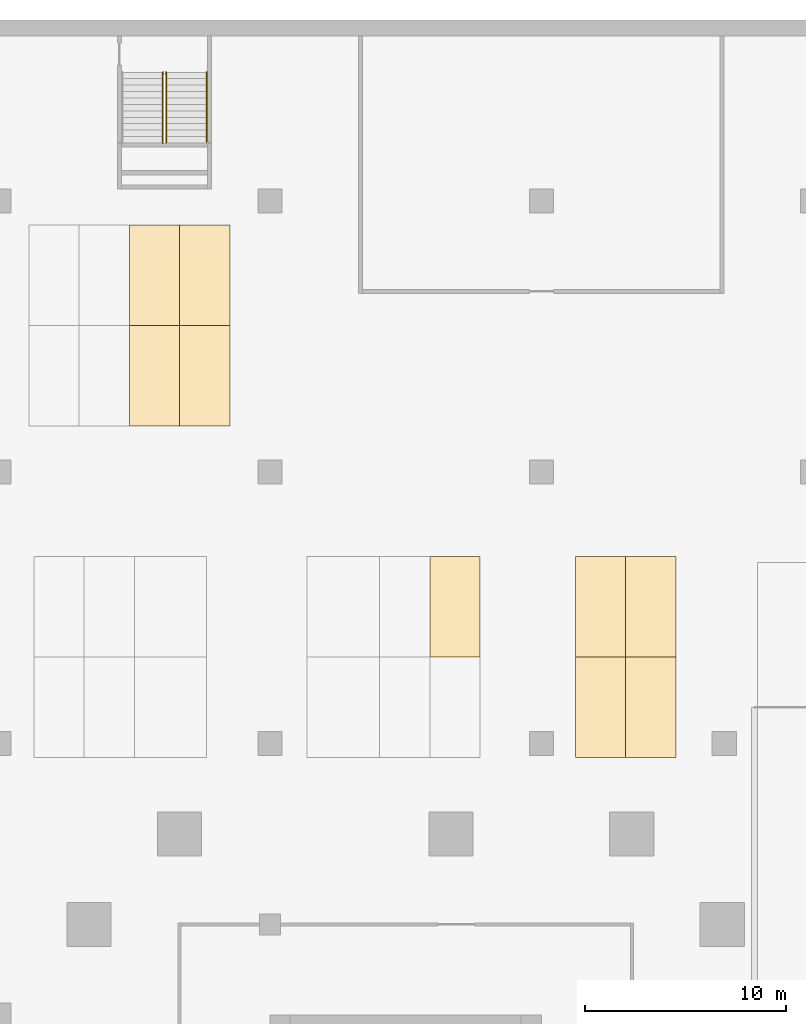
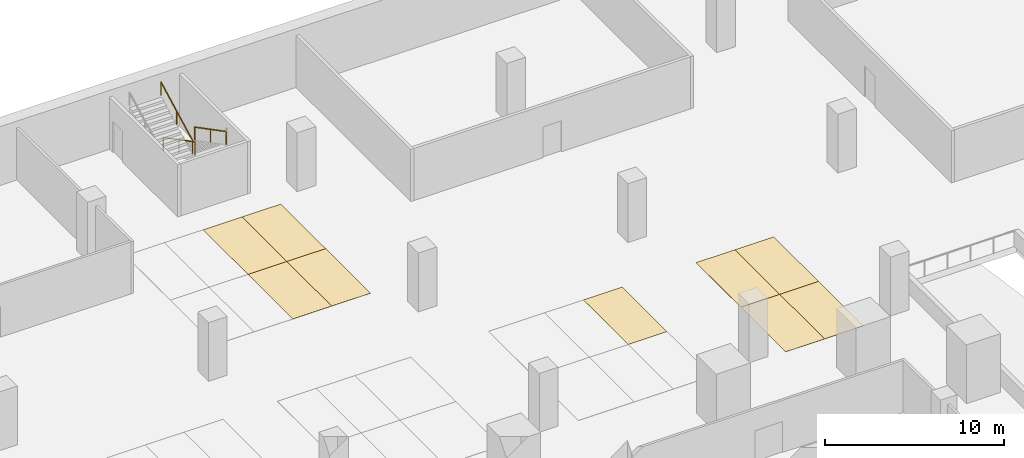
# One storey, part 28 of 31: 9 coverings, 3 railings.
"""IFC4 building model written with IfcOpenShell, lengths in metres."""

import ifcopenshell
import ifcopenshell.guid

model = None  # the IFC model being written
_history = None  # IfcOwnerHistory: only IFC2X3 demands one
_inside = {}  # id of a spatial element -> (the spatial element, [elements in it])
_under = {}  # id of a project, library or spatial element -> (it, [spatial elements below it])
_declared = {}  # id of a project -> (the project, [libraries it declares])
_typed = {}  # id of a type object -> (the type object, [elements of that type])
_made_of = {}  # id of a material, layer set ... -> (it, [elements and type objects made of it])


def new_model(schema):
    """Start an empty IFC model of exactly this schema.

    Asked for "IFC4X3", IfcOpenShell would pick the latest addendum, in which some entities
    have other attributes; the version numbers below select the first issue.
    IFC2X3 requires an IfcOwnerHistory on every rooted entity: one is made here for all.
    """
    global model, _history
    if schema == "IFC4X3":
        model = ifcopenshell.file(schema_version=(4, 3, 0, 0))
    else:
        model = ifcopenshell.file(schema=schema)
    _inside.clear()
    _under.clear()
    _declared.clear()
    _typed.clear()
    _made_of.clear()
    _history = None
    if model.schema == "IFC2X3":
        org = make("IfcOrganization", Name="unknown")
        user = make(
            "IfcPersonAndOrganization",
            ThePerson=make("IfcPerson", FamilyName="unknown"),
            TheOrganization=org,
        )
        app = make(
            "IfcApplication",
            ApplicationDeveloper=org,
            Version="unknown",
            ApplicationFullName="unknown",
            ApplicationIdentifier="unknown",
        )
        _history = make(
            "IfcOwnerHistory",
            OwningUser=user,
            OwningApplication=app,
            ChangeAction="ADDED",
            CreationDate=0,
        )
    return model


def make(cls, **values):
    """One entity of the class cls with the attributes given. An attribute that is None is left unset."""
    return model.create_entity(
        cls, **{name: value for name, value in values.items() if value is not None}
    )


def rooted(cls, **values):
    """An entity with a GlobalId (a new one), such as an element, a storey or a relation."""
    return make(cls, GlobalId=ifcopenshell.guid.new(), OwnerHistory=_history, **values)


def si_unit(unit_type, name, prefix=None):
    """IfcSIUnit, for example si_unit("LENGTHUNIT", "METRE", prefix="MILLI")."""
    return make("IfcSIUnit", UnitType=unit_type, Prefix=prefix, Name=name)


def assignment(units):
    """IfcUnitAssignment: the units of a project."""
    return None if units is None else make("IfcUnitAssignment", Units=units)


def point(xyz):
    """IfcCartesianPoint."""
    return None if xyz is None else make("IfcCartesianPoint", Coordinates=xyz)


def direction(xyz):
    """IfcDirection."""
    return None if xyz is None else make("IfcDirection", DirectionRatios=xyz)


def frame(location, z_axis=None, x_axis=None):
    """IfcAxis2Placement3D, a coordinate frame: its origin and axes. An axis left out is left unset."""
    return make(
        "IfcAxis2Placement3D",
        Location=point(location),
        Axis=direction(z_axis),
        RefDirection=direction(x_axis),
    )


def frame_2d(location, x_axis=None):
    """IfcAxis2Placement2D, a coordinate frame in the plane: its origin and x axis."""
    return make(
        "IfcAxis2Placement2D", Location=point(location), RefDirection=direction(x_axis)
    )


def origin():
    """The frame at (0, 0, 0) with its axes left unset."""
    return frame((0.0, 0.0, 0.0))


def origin_2d():
    """The frame at (0, 0) in the plane with its x axis left unset."""
    return frame_2d((0.0, 0.0))


def place(relative_to, where):
    """IfcLocalPlacement: puts the frame where relative to a parent placement (None: the world)."""
    return make(
        "IfcLocalPlacement", PlacementRelTo=relative_to, RelativePlacement=where
    )


def context(
    kind, dimensions, precision=None, world=None, true_north=None, identifier=None
):
    """IfcGeometricRepresentationContext, for example the 3D "Model" context."""
    return make(
        "IfcGeometricRepresentationContext",
        ContextIdentifier=identifier,
        ContextType=kind,
        CoordinateSpaceDimension=dimensions,
        Precision=precision,
        WorldCoordinateSystem=world,
        TrueNorth=true_north,
    )


def subcontext(parent, identifier, kind, view, scale=None):
    """IfcGeometricRepresentationSubContext, for example "Body" below "Model"."""
    return make(
        "IfcGeometricRepresentationSubContext",
        ContextIdentifier=identifier,
        ContextType=kind,
        ParentContext=parent,
        TargetScale=scale,
        TargetView=view,
    )


def project(units=None, contexts=None):
    """IfcProject with its units and contexts."""
    return rooted(
        "IfcProject",
        Name="project",
        RepresentationContexts=contexts,
        UnitsInContext=assignment(units),
    )


def spatial(cls, under=None, at=None, **own):
    """A site, building, storey or space (cls), placed at a placement, below another one or the project."""
    s = rooted(cls, ObjectPlacement=at, **own)
    if under is not None:
        _under.setdefault(under.id(), (under, []))[1].append(s)
    return s


def polyline(points):
    """IfcPolyline through the points."""
    return make("IfcPolyline", Points=[point(p) for p in points])


def profile(cls, at=None, kind="AREA", **sizes):
    """A parametric profile (cls). Its sizes go by their IFC names, for example OverallWidth=200.0."""
    return make(cls, ProfileType=kind, Position=at, **sizes)


def circle(**sizes):
    """IfcCircleProfileDef."""
    return profile("IfcCircleProfileDef", **sizes)


def outline(outer, holes=None, kind="AREA"):
    """IfcArbitraryClosedProfileDef: a profile drawn as a closed curve; with holes, ...WithVoids."""
    if holes is None:
        return make("IfcArbitraryClosedProfileDef", ProfileType=kind, OuterCurve=outer)
    return make(
        "IfcArbitraryProfileDefWithVoids",
        ProfileType=kind,
        OuterCurve=outer,
        InnerCurves=holes,
    )


def extrude(swept, where, along, depth):
    """IfcExtrudedAreaSolid: the profile swept, set in the frame where, extruded along a direction by depth."""
    return make(
        "IfcExtrudedAreaSolid",
        SweptArea=swept,
        Position=where,
        ExtrudedDirection=direction(along),
        Depth=depth,
    )


def shape(context_of_items, identifier, shape_type, items):
    """IfcShapeRepresentation: the items that make up one representation, for example the "Body"."""
    return make(
        "IfcShapeRepresentation",
        ContextOfItems=context_of_items,
        RepresentationIdentifier=identifier,
        RepresentationType=shape_type,
        Items=items,
    )


def source(mapping_origin, context_of_items, identifier, shape_type, items):
    """IfcRepresentationMap: a shape defined once, which mapped items show again and again."""
    return make(
        "IfcRepresentationMap",
        MappingOrigin=mapping_origin,
        MappedRepresentation=shape(context_of_items, identifier, shape_type, items),
    )


def transform(
    local_origin,
    x_axis=None,
    y_axis=None,
    z_axis=None,
    scale=None,
    scale2=None,
    scale3=None,
    uniform=True,
):
    """IfcCartesianTransformationOperator3D, or its non-uniform kind. x_axis, y_axis, z_axis: its Axis1, 2, 3."""
    if uniform:
        return make(
            "IfcCartesianTransformationOperator3D",
            Axis1=direction(x_axis),
            Axis2=direction(y_axis),
            LocalOrigin=point(local_origin),
            Scale=scale,
            Axis3=direction(z_axis),
        )
    return make(
        "IfcCartesianTransformationOperator3DnonUniform",
        Axis1=direction(x_axis),
        Axis2=direction(y_axis),
        LocalOrigin=point(local_origin),
        Scale=scale,
        Axis3=direction(z_axis),
        Scale2=scale2,
        Scale3=scale3,
    )


def mapped(mapping_source, mapping_target):
    """IfcMappedItem: shows the shape of a source again, moved by a transform."""
    return make(
        "IfcMappedItem", MappingSource=mapping_source, MappingTarget=mapping_target
    )


def material(Name=None, Category=None):
    """IfcMaterial."""
    return make("IfcMaterial", Name=Name, Category=Category)


def layer(
    of_material, thickness, ventilated=None, Name=None, Category=None, Priority=None
):
    """IfcMaterialLayer: one layer of a wall or slab, of a material (None: an air gap)."""
    return make(
        "IfcMaterialLayer",
        Material=of_material,
        LayerThickness=thickness,
        IsVentilated=ventilated,
        Name=Name,
        Category=Category,
        Priority=Priority,
    )


def layer_set(layers, Name=None):
    """IfcMaterialLayerSet."""
    return make("IfcMaterialLayerSet", MaterialLayers=layers, LayerSetName=Name)


def made_of(thing, what):
    """Note that an element or type object is made of a material, layer set ...; save() writes the relation."""
    if what is not None:
        _made_of.setdefault(what.id(), (what, []))[1].append(thing)
    return thing


def type_object(cls, material=None, **own):
    """A type object (cls), such as IfcWallType, which elements share."""
    return made_of(rooted(cls, **own), material)


def element(
    cls,
    number,
    at=None,
    inside=None,
    cuts=None,
    type_object=None,
    material=None,
    context=None,
    identifier="Body",
    shape_type=None,
    held_by="IfcProductDefinitionShape",
    body=None,
    shapes=None,
    **own,
):
    """One element of the class cls, such as IfcWall. Its Tag is "e" and its number.

    at: its placement. inside: the storey or other place that contains it. cuts: it is an
    opening in that element (IfcRelVoidsElement). A single representation is given by context,
    identifier, shape_type and body (its items); several are given by shapes. held_by: the class
    of the entity that holds the representations. save() writes the other relations.
    """
    e = rooted(cls, Tag="e%d" % number, ObjectPlacement=at, **own)
    if body is not None:
        shapes = [shape(context, identifier, shape_type, body)]
    if shapes is not None:
        e.Representation = make(held_by, Representations=shapes)
    if inside is not None:
        _inside.setdefault(inside.id(), (inside, []))[1].append(e)
    if cuts is not None:
        rooted(
            "IfcRelVoidsElement", RelatingBuildingElement=cuts, RelatedOpeningElement=e
        )
    if type_object is not None:
        _typed.setdefault(type_object.id(), (type_object, []))[1].append(e)
    return made_of(e, material)


def aggregate(whole, parts):
    """IfcRelAggregates: a whole, such as a stair, and the parts it consists of."""
    return rooted("IfcRelAggregates", RelatingObject=whole, RelatedObjects=parts)


def save(model, path):
    """Write the relations noted so far, then the file.

    IfcRelAggregates (storeys below a building ...), IfcRelContainedInSpatialStructure (elements
    in a storey), IfcRelDefinesByType, IfcRelAssociatesMaterial and IfcRelDeclares: one each for
    every whole, place, type object, material and project.
    """
    for whole, parts in _under.values():
        aggregate(whole, parts)
    for where, things in _inside.values():
        rooted(
            "IfcRelContainedInSpatialStructure",
            RelatedElements=things,
            RelatingStructure=where,
        )
    for kind, things in _typed.values():
        rooted("IfcRelDefinesByType", RelatedObjects=things, RelatingType=kind)
    for what, things in _made_of.values():
        rooted("IfcRelAssociatesMaterial", RelatedObjects=things, RelatingMaterial=what)
    for by, libraries in _declared.values():
        rooted("IfcRelDeclares", RelatingContext=by, RelatedDefinitions=libraries)
    model.write(path)


model = new_model("IFC4")

# Units and contexts
model_context = context("Model", 3, precision=1e-05, world=origin(), true_north=direction((0.0, 1.0)))
body_context = subcontext(model_context, "Body", "Model", "MODEL_VIEW")
ifc_project = project(units=[si_unit("LENGTHUNIT", "METRE"), si_unit("AREAUNIT", "SQUARE_METRE"), si_unit("VOLUMEUNIT", "CUBIC_METRE"), si_unit("PLANEANGLEUNIT", "RADIAN"), si_unit("MASSUNIT", "GRAM", prefix="KILO")], contexts=[model_context])

# Site, building, storey
site_placement = place(None, origin())
site = spatial("IfcSite", under=ifc_project, at=site_placement, CompositionType="ELEMENT")
building_placement = place(site_placement, origin())
building = spatial("IfcBuilding", under=site, at=building_placement, Name="Altepetl Exchange Towers", CompositionType="ELEMENT")
storey_placement = place(building_placement, frame((0.0, 0.0, -4.0)))
storey = spatial("IfcBuildingStorey", under=building, at=storey_placement, Name="B1 Basement services", CompositionType="ELEMENT", Elevation=-4.0)

# Coverings
ifc_material_1 = material(Name="Road marking paint")
ifc_layer = layer(ifc_material_1, 0.010009765625)
ifc_layer_set = layer_set([ifc_layer], Name="Road marking paint")
covering_type = type_object("IfcCoveringType", Name="Parking bay marking 2500 x 5000", PredefinedType="FLOORING", material=ifc_layer_set)
covering_1_placement = place(storey_placement, origin())
element("IfcCovering", 1, at=covering_1_placement, inside=storey, type_object=covering_type, Name="Parking bay B1-098", PredefinedType="FLOORING", context=body_context, shape_type="SweptSolid", body=[
    extrude(outline(polyline([(118.699951171875, 62.300048828125), (121.199951171875, 62.300048828125), (121.199951171875, 67.300048828125), (118.699951171875, 67.300048828125), (118.699951171875, 62.300048828125)])), origin(), (0.0, 0.0, 1.0), 0.010009765625),
])
covering_2_placement = place(storey_placement, origin())
element("IfcCovering", 2, at=covering_2_placement, inside=storey, type_object=covering_type, Name="Parking bay B1-099", PredefinedType="FLOORING", context=body_context, shape_type="SweptSolid", body=[
    extrude(outline(polyline([(121.199951171875, 62.300048828125), (123.699951171875, 62.300048828125), (123.699951171875, 67.300048828125), (121.199951171875, 67.300048828125), (121.199951171875, 62.300048828125)])), origin(), (0.0, 0.0, 1.0), 0.010009765625),
])
covering_3_placement = place(storey_placement, origin())
element("IfcCovering", 3, at=covering_3_placement, inside=storey, type_object=covering_type, Name="Parking bay B1-109", PredefinedType="FLOORING", context=body_context, shape_type="SweptSolid", body=[
    extrude(outline(polyline([(111.449951171875, 67.300048828125), (113.949951171875, 67.300048828125), (113.949951171875, 72.300048828125), (111.449951171875, 72.300048828125), (111.449951171875, 67.300048828125)])), origin(), (0.0, 0.0, 1.0), 0.010009765625),
])
covering_4_placement = place(storey_placement, origin())
element("IfcCovering", 4, at=covering_4_placement, inside=storey, type_object=covering_type, Name="Parking bay B1-110", PredefinedType="FLOORING", context=body_context, shape_type="SweptSolid", body=[
    extrude(outline(polyline([(118.699951171875, 67.300048828125), (121.199951171875, 67.300048828125), (121.199951171875, 72.300048828125), (118.699951171875, 72.300048828125), (118.699951171875, 67.300048828125)])), origin(), (0.0, 0.0, 1.0), 0.010009765625),
])
covering_5_placement = place(storey_placement, origin())
element("IfcCovering", 5, at=covering_5_placement, inside=storey, type_object=covering_type, Name="Parking bay B1-111", PredefinedType="FLOORING", context=body_context, shape_type="SweptSolid", body=[
    extrude(outline(polyline([(121.199951171875, 67.300048828125), (123.699951171875, 67.300048828125), (123.699951171875, 72.300048828125), (121.199951171875, 72.300048828125), (121.199951171875, 67.300048828125)])), origin(), (0.0, 0.0, 1.0), 0.010009765625),
])
covering_6_placement = place(storey_placement, origin())
element("IfcCovering", 6, at=covering_6_placement, inside=storey, type_object=covering_type, Name="Parking bay B1-128", PredefinedType="FLOORING", context=body_context, shape_type="SweptSolid", body=[
    extrude(outline(polyline([(96.5, 78.800048828125), (99.0, 78.800048828125), (99.0, 83.800048828125), (96.5, 83.800048828125), (96.5, 78.800048828125)])), origin(), (0.0, 0.0, 1.0), 0.010009765625),
])
covering_7_placement = place(storey_placement, origin())
element("IfcCovering", 7, at=covering_7_placement, inside=storey, type_object=covering_type, Name="Parking bay B1-129", PredefinedType="FLOORING", context=body_context, shape_type="SweptSolid", body=[
    extrude(outline(polyline([(99.0, 78.800048828125), (101.5, 78.800048828125), (101.5, 83.800048828125), (99.0, 83.800048828125), (99.0, 78.800048828125)])), origin(), (0.0, 0.0, 1.0), 0.010009765625),
])
covering_8_placement = place(storey_placement, origin())
element("IfcCovering", 8, at=covering_8_placement, inside=storey, type_object=covering_type, Name="Parking bay B1-146", PredefinedType="FLOORING", context=body_context, shape_type="SweptSolid", body=[
    extrude(outline(polyline([(96.5, 83.800048828125), (99.0, 83.800048828125), (99.0, 88.800048828125), (96.5, 88.800048828125), (96.5, 83.800048828125)])), origin(), (0.0, 0.0, 1.0), 0.010009765625),
])
covering_9_placement = place(storey_placement, origin())
element("IfcCovering", 9, at=covering_9_placement, inside=storey, type_object=covering_type, Name="Parking bay B1-147", PredefinedType="FLOORING", context=body_context, shape_type="SweptSolid", body=[
    extrude(outline(polyline([(99.0, 83.800048828125), (101.5, 83.800048828125), (101.5, 88.800048828125), (99.0, 88.800048828125), (99.0, 83.800048828125)])), origin(), (0.0, 0.0, 1.0), 0.010009765625),
])

# Railings
ifc_material_2 = material(Name="Stainless steel", Category="steel")
railing_type = type_object("IfcRailingType", Name="Stair handrail 900", PredefinedType="HANDRAIL", material=ifc_material_2)
shared_shape = source(origin(), body_context, "Body", "SweptSolid", [
    extrude(circle(Radius=0.02001953125, at=origin_2d()), origin(), (0.0, 0.0, 1.0), 0.849853515625),
])
for number, where, name in (
    (10, (100.35009765625, 96.39990234375, 0.166748046875), "rail:P:B1:ES6:1a"),
    (11, (98.324951171875, 96.39990234375, 0.166748046875), "rail:P:B1:ES6:1b"),
):
    element("IfcRailing", number, at=place(storey_placement, frame(where)), inside=storey, type_object=railing_type, Name=name, PredefinedType="HANDRAIL", context=body_context, shape_type="SweptSolid", body=[
        extrude(circle(Radius=0.02490234375, at=origin_2d()), frame((0.0, 0.0, 0.875), z_axis=(0.0, -0.886923534906, 0.461916272965), x_axis=(1.0, 0.0, 0.0)), (0.0, 0.0, 1.0), 3.96875),
        mapped(shared_shape, transform((0.0, 0.0, 0.0))),
        mapped(shared_shape, transform((0.0, -1.760009765625, 0.91650390625))),
        mapped(shared_shape, transform((0.0, -3.52001953125, 1.833251953125))),
    ])
railing_placement = place(storey_placement, frame((98.175048828125, 92.8798828125, 2.166748046875)))
element("IfcRailing", 12, at=railing_placement, inside=storey, type_object=railing_type, Name="rail:P:B1:ES6:2a", PredefinedType="HANDRAIL", context=body_context, shape_type="SweptSolid", body=[
    extrude(circle(Radius=0.02490234375, at=origin_2d()), frame((0.0, 0.0, 0.875), z_axis=(0.0, 0.886923534906, 0.461916272965), x_axis=(-1.0, 0.0, 0.0)), (0.0, 0.0, 1.0), 3.96875),
    mapped(shared_shape, transform((0.0, 0.0, 0.0))),
    mapped(shared_shape, transform((0.0, 1.760009765625, 0.91650390625))),
    mapped(shared_shape, transform((0.0, 3.52001953125, 1.833251953125))),
])

save(model, "model.ifc")
